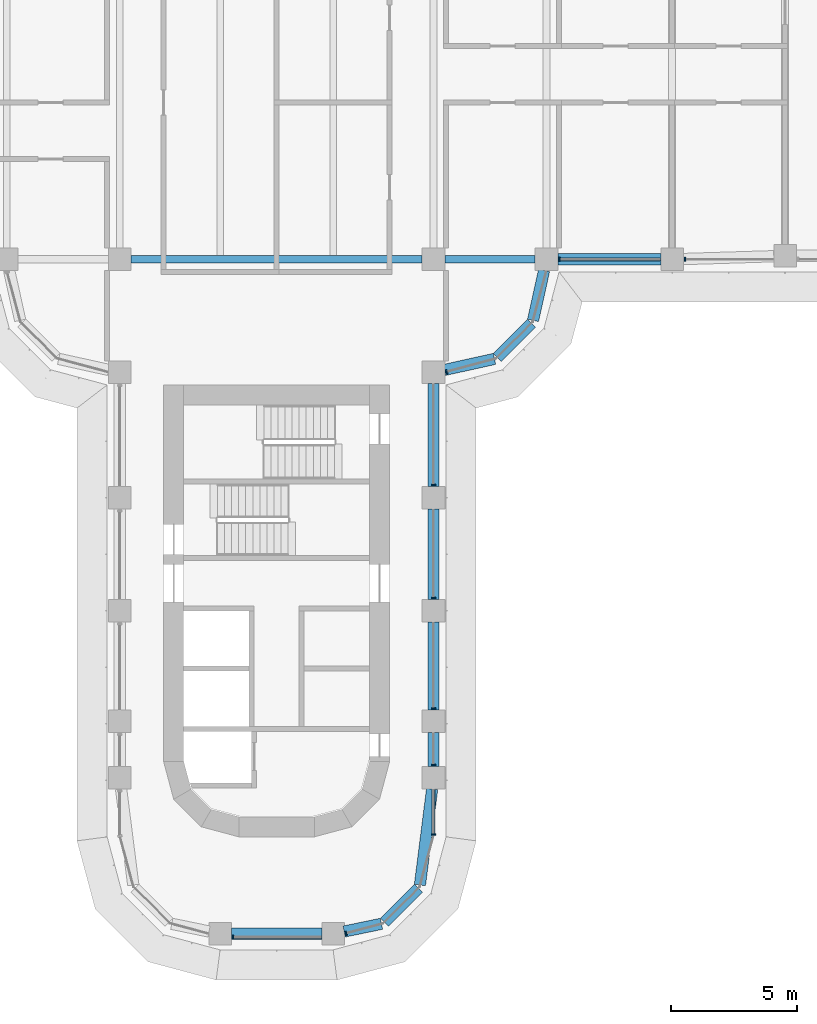
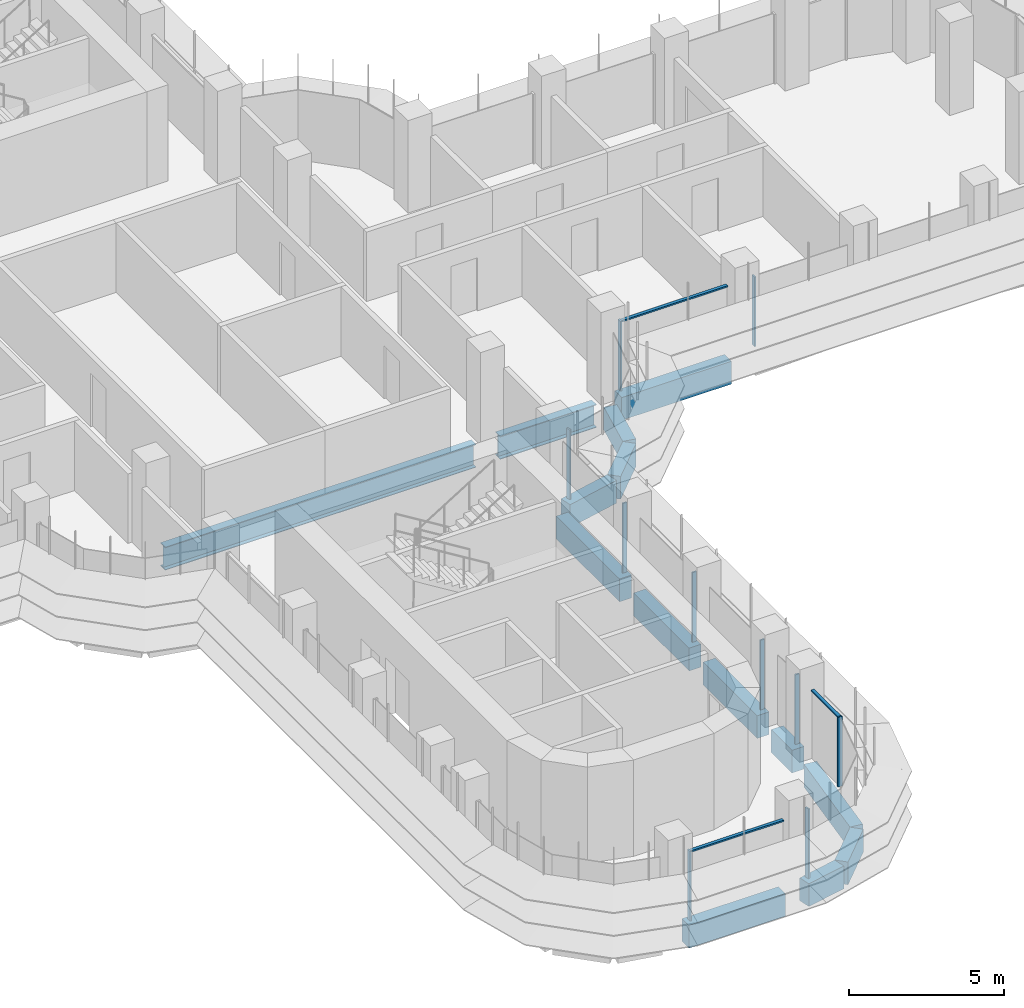
# One storey, part 4 of 22: 14 beams, 13 members, 5 elements without a shape of their own.
"""IFC4 building model written with IfcOpenShell, lengths in metres."""

from ifc_helpers import new_model, si_unit, direction, frame, origin, origin_2d, place, context, subcontext, project, spatial, polyline, rectangle, i_section, outline, extrude, source, transform, mapped, material, material_profile, profile_set, type_object, element, aggregate, save


model = new_model("IFC4")

# Units and contexts
model_context = context("Model", 3, precision=1e-05, world=origin(), true_north=direction((0.0, 1.0)))
body_context = subcontext(model_context, "Body", "Model", "MODEL_VIEW")
ifc_project = project(units=[si_unit("LENGTHUNIT", "METRE"), si_unit("AREAUNIT", "SQUARE_METRE"), si_unit("VOLUMEUNIT", "CUBIC_METRE"), si_unit("PLANEANGLEUNIT", "RADIAN"), si_unit("MASSUNIT", "GRAM", prefix="KILO")], contexts=[model_context])

# Site, building, storey
site_placement = place(None, origin())
site = spatial("IfcSite", under=ifc_project, at=site_placement, CompositionType="ELEMENT")
building_placement = place(site_placement, origin())
building = spatial("IfcBuilding", under=site, at=building_placement, Name="Zarbagh Exchange Tower", CompositionType="ELEMENT")
storey_placement = place(building_placement, frame((0.0, 0.0, 132.199951171875)))
storey = spatial("IfcBuildingStorey", under=building, at=storey_placement, Name="L31", CompositionType="ELEMENT", Elevation=132.199951171875)

# Beams
ifc_material_1 = material(Name="Steel ASTM A992 Gr 50", Category="steel")
ifc_material_profile_1 = material_profile(ifc_material_1, i_section(OverallWidth=0.3046875, OverallDepth=0.911865234375, WebThickness=0.015869140625, FlangeThickness=0.02392578125, at=origin_2d()), Name="W36X150")
ifc_profile_set_1 = profile_set([ifc_material_profile_1], Name="Steel ASTM A992 Gr 50")
beam_type_1 = type_object("IfcBeamType", Name="Floor girder W36X150", PredefinedType="BEAM", material=ifc_profile_set_1)
beam_1_placement = place(storey_placement, frame((-5.800048828125, -6.25, -0.60595703125), z_axis=(1.0, 0.0, 0.0), x_axis=(0.0, 1.0, 0.0)))
element("IfcBeam", 1, at=beam_1_placement, inside=storey, type_object=beam_type_1, Name="Steel girder", PredefinedType="BEAM", context=body_context, shape_type="SweptSolid", body=[
    extrude(i_section(OverallWidth=0.3046875, OverallDepth=0.911865234375, WebThickness=0.015869140625, FlangeThickness=0.02392578125, at=origin_2d()), origin(), (0.0, 0.0, 1.0), 11.60009765625),
])
beam_2_placement = place(storey_placement, frame((6.699951171875, -6.25, -0.60595703125), z_axis=(1.0, 0.0, 0.0), x_axis=(0.0, 1.0, 0.0)))
element("IfcBeam", 2, at=beam_2_placement, inside=storey, type_object=beam_type_1, Name="Steel girder", PredefinedType="BEAM", context=body_context, shape_type="SweptSolid", body=[
    extrude(i_section(OverallWidth=0.3046875, OverallDepth=0.911865234375, WebThickness=0.015869140625, FlangeThickness=0.02392578125, at=origin_2d()), origin(), (0.0, 0.0, 1.0), 3.60009765625),
])
ifc_material_2 = material(Name="Concrete C60/75", Category="concrete")
ifc_material_profile_2 = material_profile(ifc_material_2, rectangle(XDim=0.449951171875, YDim=0.89990234375, at=origin_2d()), Name="RC spandrel beam 450 x 900 C60/75")
ifc_profile_set_2 = profile_set([ifc_material_profile_2], Name="Concrete C60/75")
beam_type_2 = type_object("IfcBeamType", Name="RC spandrel beam 450 x 900 C60/75", PredefinedType="SPANDREL", material=ifc_profile_set_2)
beam_3_placement = place(storey_placement, frame((15.300048828125, -6.25, -0.599853515625), z_axis=(-1.0, 0.0, 0.0), x_axis=(0.0, -1.0, 0.0)))
element("IfcBeam", 3, at=beam_3_placement, inside=storey, type_object=beam_type_2, Name="RC spandrel beam", PredefinedType="SPANDREL", context=body_context, shape_type="SweptSolid", body=[
    extrude(rectangle(XDim=0.449951171875, YDim=0.89990234375, at=origin_2d()), origin(), (0.0, 0.0, 1.0), 4.10009765625),
])
beam_4_placement = place(storey_placement, frame((10.65283203125, -6.689453125, -0.599853515625), z_axis=(-0.216117666208, -0.976367325525, 0.0), x_axis=(0.976367325525, -0.216117666208, 0.0)))
element("IfcBeam", 4, at=beam_4_placement, inside=storey, type_object=beam_type_2, Name="RC spandrel beam", PredefinedType="SPANDREL", context=body_context, shape_type="SweptSolid", body=[
    extrude(rectangle(XDim=0.449951171875, YDim=0.89990234375, at=origin_2d()), origin(), (0.0, 0.0, 1.0), 2.03564453125),
])
beam_5_placement = place(storey_placement, frame((10.15234375, -8.78759765625, -0.599853515625), z_axis=(-0.707106781187, -0.707106781187, 0.0), x_axis=(0.707106781187, -0.707106781187, 0.0)))
element("IfcBeam", 5, at=beam_5_placement, inside=storey, type_object=beam_type_2, Name="RC spandrel beam", PredefinedType="SPANDREL", context=body_context, shape_type="SweptSolid", body=[
    extrude(rectangle(XDim=0.449951171875, YDim=0.89990234375, at=origin_2d()), origin(), (0.0, 0.0, 1.0), 1.929931640625),
])
beam_6_placement = place(storey_placement, frame((8.677001953125, -10.212890625, -0.599853515625), z_axis=(-0.976367325525, -0.216117666208, 0.0), x_axis=(0.216117666208, -0.976367325525, 0.0)))
element("IfcBeam", 6, at=beam_6_placement, inside=storey, type_object=beam_type_2, Name="RC spandrel beam", PredefinedType="SPANDREL", context=body_context, shape_type="SweptSolid", body=[
    extrude(rectangle(XDim=0.449951171875, YDim=0.89990234375, at=origin_2d()), origin(), (0.0, 0.0, 1.0), 2.03564453125),
])
beam_7_placement = place(storey_placement, frame((6.25, -11.199951171875, -0.599853515625), z_axis=(0.0, -1.0, 0.0), x_axis=(1.0, 0.0, 0.0)))
element("IfcBeam", 7, at=beam_7_placement, inside=storey, type_object=beam_type_2, Name="RC spandrel beam", PredefinedType="SPANDREL", context=body_context, shape_type="SweptSolid", body=[
    extrude(rectangle(XDim=0.449951171875, YDim=0.89990234375, at=origin_2d()), origin(), (0.0, 0.0, 1.0), 4.10009765625),
])
beam_8_placement = place(storey_placement, frame((6.25, -16.199951171875, -0.599853515625), z_axis=(0.0, -1.0, 0.0), x_axis=(1.0, 0.0, 0.0)))
element("IfcBeam", 8, at=beam_8_placement, inside=storey, type_object=beam_type_2, Name="RC spandrel beam", PredefinedType="SPANDREL", context=body_context, shape_type="SweptSolid", body=[
    extrude(rectangle(XDim=0.449951171875, YDim=0.89990234375, at=origin_2d()), origin(), (0.0, 0.0, 1.0), 3.60009765625),
])
beam_9_placement = place(storey_placement, frame((6.25, -20.699951171875, -0.599853515625), z_axis=(0.0, -1.0, 0.0), x_axis=(1.0, 0.0, 0.0)))
element("IfcBeam", 9, at=beam_9_placement, inside=storey, type_object=beam_type_2, Name="RC spandrel beam", PredefinedType="SPANDREL", context=body_context, shape_type="SweptSolid", body=[
    extrude(rectangle(XDim=0.449951171875, YDim=0.89990234375, at=origin_2d()), origin(), (0.0, 0.0, 1.0), 3.5),
])
beam_10_placement = place(storey_placement, frame((6.25, -25.10009765625, -0.599853515625), z_axis=(0.0, -1.0, 0.0), x_axis=(1.0, 0.0, 0.0)))
element("IfcBeam", 10, at=beam_10_placement, inside=storey, type_object=beam_type_2, Name="RC spandrel beam", PredefinedType="SPANDREL", context=body_context, shape_type="SweptSolid", body=[
    extrude(rectangle(XDim=0.449951171875, YDim=0.89990234375, at=origin_2d()), origin(), (0.0, 0.0, 1.0), 1.349853515625),
])
beam_11_placement = place(storey_placement, frame((6.193359375, -27.346435546875, -0.599853515625), z_axis=(-0.12597055537, -0.992033980859, 0.0), x_axis=(0.992033980859, -0.12597055537, 0.0)))
element("IfcBeam", 11, at=beam_11_placement, inside=storey, type_object=beam_type_2, Name="RC spandrel beam", PredefinedType="SPANDREL", context=body_context, shape_type="SweptSolid", body=[
    extrude(rectangle(XDim=0.449951171875, YDim=0.89990234375, at=origin_2d()), origin(), (0.0, 0.0, 1.0), 3.84912109375),
])
beam_12_placement = place(storey_placement, frame((5.644287109375, -31.295654296875, -0.599853515625), z_axis=(-0.707106781187, -0.707106781187, 0.0), x_axis=(0.707106781187, -0.707106781187, 0.0)))
element("IfcBeam", 12, at=beam_12_placement, inside=storey, type_object=beam_type_2, Name="RC spandrel beam", PredefinedType="SPANDREL", context=body_context, shape_type="SweptSolid", body=[
    extrude(rectangle(XDim=0.449951171875, YDim=0.89990234375, at=origin_2d()), origin(), (0.0, 0.0, 1.0), 1.9169921875),
])
beam_13_placement = place(storey_placement, frame((4.17529296875, -32.71240234375, -0.599853515625), z_axis=(-0.979328675816, -0.202275417995, 0.0), x_axis=(0.202275417995, -0.979328675816, 0.0)))
element("IfcBeam", 13, at=beam_13_placement, inside=storey, type_object=beam_type_2, Name="RC spandrel beam", PredefinedType="SPANDREL", context=body_context, shape_type="SweptSolid", body=[
    extrude(rectangle(XDim=0.449951171875, YDim=0.89990234375, at=origin_2d()), origin(), (0.0, 0.0, 1.0), 1.515869140625),
])
beam_14_placement = place(storey_placement, frame((1.800048828125, -33.110107421875, -0.599853515625), z_axis=(-1.0, 0.0, 0.0), x_axis=(0.0, -1.0, 0.0)))
element("IfcBeam", 14, at=beam_14_placement, inside=storey, type_object=beam_type_2, Name="RC spandrel beam", PredefinedType="SPANDREL", context=body_context, shape_type="SweptSolid", body=[
    extrude(rectangle(XDim=0.449951171875, YDim=0.89990234375, at=origin_2d()), origin(), (0.0, 0.0, 1.0), 3.60009765625),
])

# Curtain wall, member
ifc_material_3 = material(Name="Anodised aluminium frame and glazing", Category="aluminium")
curtain_wall_type = type_object("IfcCurtainWallType", Name="CWA Ribbon glazing, lower zones", PredefinedType="NOTDEFINED", material=ifc_material_3)
curtain_wall_1_placement = place(storey_placement, origin())
curtain_wall_1 = element("IfcCurtainWall", 15, at=curtain_wall_1_placement, inside=storey, type_object=curtain_wall_type, Name="CWA01 curtain wall", PredefinedType="NOTDEFINED")
ifc_material_4 = material(Name="Anodised aluminium frame", Category="aluminium")
member_type_1 = type_object("IfcMemberType", Name="MUA Mullion, anodised aluminium frame", PredefinedType="MULLION", material=ifc_material_4)
shared_shape_1 = source(origin(), body_context, "Body", "SweptSolid", [
    extrude(outline(polyline([(0.0, -0.080078125), (0.06005859375, -0.080078125), (0.06005859375, 0.080078125), (0.0, 0.080078125), (0.0, -0.080078125)])), origin(), (0.0, 0.0, 1.0), 2.75),
])
placement = place(storey_placement, origin())
member_1 = element("IfcMember", 16, at=placement, type_object=member_type_1, Name="CWA01 mullion 1.1", PredefinedType="MULLION", context=body_context, shape_type="MappedRepresentation", body=[
    mapped(shared_shape_1, transform((2.739990234375, -33.10107421875, 0.0), x_axis=(0.965924289636, 0.258824779902, 0.0), y_axis=(-0.258824779902, 0.965924289636, 0.0), z_axis=(0.0, 0.0, 1.0))),
])
aggregate(curtain_wall_1, [member_1])

# Curtain wall, members
curtain_wall_2_placement = place(storey_placement, origin())
curtain_wall_2 = element("IfcCurtainWall", 17, at=curtain_wall_2_placement, inside=storey, type_object=curtain_wall_type, Name="CWA04 curtain wall", PredefinedType="NOTDEFINED")
member_2 = element("IfcMember", 18, at=placement, type_object=member_type_1, Name="CWA04 mullion 1.1", PredefinedType="MULLION", context=body_context, shape_type="MappedRepresentation", body=[
    mapped(shared_shape_1, transform((6.25, -29.18408203125, 0.0), x_axis=(0.0, 1.0, 0.0), y_axis=(-1.0, 0.0, 0.0), z_axis=(0.0, 0.0, 1.0))),
])
member_3 = element("IfcMember", 19, at=placement, type_object=member_type_1, Name="CWA04 mullion 2.1", PredefinedType="MULLION", context=body_context, shape_type="MappedRepresentation", body=[
    mapped(shared_shape_1, transform((6.25, -26.409912109375, 0.0), x_axis=(0.0, 1.0, 0.0), y_axis=(-1.0, 0.0, 0.0), z_axis=(0.0, 0.0, 1.0))),
])
member_4 = element("IfcMember", 20, at=placement, type_object=member_type_1, Name="CWA04 mullion 3.1", PredefinedType="MULLION", context=body_context, shape_type="MappedRepresentation", body=[
    mapped(shared_shape_1, transform((6.25, -24.159912109375, 0.0), x_axis=(0.0, 1.0, 0.0), y_axis=(-1.0, 0.0, 0.0), z_axis=(0.0, 0.0, 1.0))),
])
member_5 = element("IfcMember", 21, at=placement, type_object=member_type_1, Name="CWA04 mullion 4.1", PredefinedType="MULLION", context=body_context, shape_type="MappedRepresentation", body=[
    mapped(shared_shape_1, transform((6.25, -19.760009765625, 0.0), x_axis=(0.0, 1.0, 0.0), y_axis=(-1.0, 0.0, 0.0), z_axis=(0.0, 0.0, 1.0))),
])
member_6 = element("IfcMember", 22, at=placement, type_object=member_type_1, Name="CWA04 mullion 5.1", PredefinedType="MULLION", context=body_context, shape_type="MappedRepresentation", body=[
    mapped(shared_shape_1, transform((6.25, -15.260009765625, 0.0), x_axis=(0.0, 1.0, 0.0), y_axis=(-1.0, 0.0, 0.0), z_axis=(0.0, 0.0, 1.0))),
])

# Curtain wall, member
curtain_wall_3_placement = place(storey_placement, origin())
curtain_wall_3 = element("IfcCurtainWall", 23, at=curtain_wall_3_placement, inside=storey, type_object=curtain_wall_type, Name="CWA05 curtain wall", PredefinedType="NOTDEFINED")
member_7 = element("IfcMember", 24, at=placement, type_object=member_type_1, Name="CWA05 mullion 1.1", PredefinedType="MULLION", context=body_context, shape_type="MappedRepresentation", body=[
    mapped(shared_shape_1, transform((6.739990234375, -10.735107421875, 0.0), x_axis=(0.965924289636, 0.258824779902, 0.0), y_axis=(-0.258824779902, 0.965924289636, 0.0), z_axis=(0.0, 0.0, 1.0))),
])
aggregate(curtain_wall_3, [member_7])

# Curtain wall, members
curtain_wall_4_placement = place(storey_placement, origin())
curtain_wall_4 = element("IfcCurtainWall", 25, at=curtain_wall_4_placement, inside=storey, type_object=curtain_wall_type, Name="CWA58 curtain wall", PredefinedType="NOTDEFINED")
member_8 = element("IfcMember", 26, at=placement, type_object=member_type_1, Name="CWA58 mullion 1.1", PredefinedType="MULLION", context=body_context, shape_type="MappedRepresentation", body=[
    mapped(shared_shape_1, transform((11.239990234375, -6.25, 0.0), x_axis=(1.0, 0.0, 0.0), y_axis=(0.0, 1.0, 0.0), z_axis=(0.0, 0.0, 1.0))),
])
member_9 = element("IfcMember", 27, at=placement, type_object=member_type_1, Name="CWA58 mullion 2.1", PredefinedType="MULLION", context=body_context, shape_type="MappedRepresentation", body=[
    mapped(shared_shape_1, transform((16.239990234375, -6.25, 0.0), x_axis=(1.0, 0.0, 0.0), y_axis=(0.0, 1.0, 0.0), z_axis=(0.0, 0.0, 1.0))),
])

# Curtain wall, member
curtain_wall_5_placement = place(storey_placement, origin())
curtain_wall_5 = element("IfcCurtainWall", 28, at=curtain_wall_5_placement, inside=storey, type_object=curtain_wall_type, Name="CWA48 curtain wall", PredefinedType="NOTDEFINED")
member_10 = element("IfcMember", 29, at=placement, type_object=member_type_1, Name="CWA48 mullion 1.1", PredefinedType="MULLION", context=body_context, shape_type="MappedRepresentation", body=[
    mapped(shared_shape_1, transform((-1.760009765625, -33.25, 0.0), x_axis=(1.0, 0.0, 0.0), y_axis=(0.0, 1.0, 0.0), z_axis=(0.0, 0.0, 1.0))),
])

# Member
member_type_2 = type_object("IfcMemberType", Name="TRA Transom, anodised aluminium frame", PredefinedType="USERDEFINED", material=ifc_material_4)
shared_shape_2 = source(origin(), body_context, "Body", "SweptSolid", [
    extrude(outline(polyline([(-0.06005859375, -0.06005859375), (0.0, -0.06005859375), (0.0, 0.06005859375), (-0.06005859375, 0.06005859375), (-0.06005859375, -0.06005859375)])), origin(), (0.0, 0.0, 1.0), 1.734130859375),
])
member_11 = element("IfcMember", 30, at=placement, type_object=member_type_2, Name="CWA04 transom 1.1", ObjectType="TRANSOM", PredefinedType="USERDEFINED", context=body_context, shape_type="MappedRepresentation", body=[
    mapped(shared_shape_2, transform((6.25, -29.124267578125, 2.75), x_axis=(0.0, 0.0, 1.0), y_axis=(1.0, 0.0, 0.0), z_axis=(0.0, 1.0, 0.0))),
])

aggregate(curtain_wall_2, [member_2, member_11, member_3, member_4, member_5, member_6])

shared_shape_3 = source(origin(), body_context, "Body", "SweptSolid", [
    extrude(outline(polyline([(-0.06005859375, -0.06005859375), (0.0, -0.06005859375), (0.0, 0.06005859375), (-0.06005859375, 0.06005859375), (-0.06005859375, -0.06005859375)])), origin(), (0.0, 0.0, 1.0), 3.9599609375),
])
member_12 = element("IfcMember", 31, at=placement, type_object=member_type_2, Name="CWA58 transom 1.1", ObjectType="TRANSOM", PredefinedType="USERDEFINED", context=body_context, shape_type="MappedRepresentation", body=[
    mapped(shared_shape_3, transform((11.300048828125, -6.25, 2.75), x_axis=(0.0, 0.0, 1.0), y_axis=(0.0, -1.0, 0.0), z_axis=(1.0, 0.0, 0.0))),
])

aggregate(curtain_wall_4, [member_8, member_12, member_9])

shared_shape_4 = source(origin(), body_context, "Body", "SweptSolid", [
    extrude(outline(polyline([(-0.06005859375, -0.06005859375), (0.0, -0.06005859375), (0.0, 0.06005859375), (-0.06005859375, 0.06005859375), (-0.06005859375, -0.06005859375)])), origin(), (0.0, 0.0, 1.0), 3.4599609375),
])
member_13 = element("IfcMember", 32, at=placement, type_object=member_type_2, Name="CWA48 transom 1.1", ObjectType="TRANSOM", PredefinedType="USERDEFINED", context=body_context, shape_type="MappedRepresentation", body=[
    mapped(shared_shape_4, transform((-1.699951171875, -33.25, 2.75), x_axis=(0.0, 0.0, 1.0), y_axis=(0.0, -1.0, 0.0), z_axis=(1.0, 0.0, 0.0))),
])

aggregate(curtain_wall_5, [member_10, member_13])

save(model, "model.ifc")
